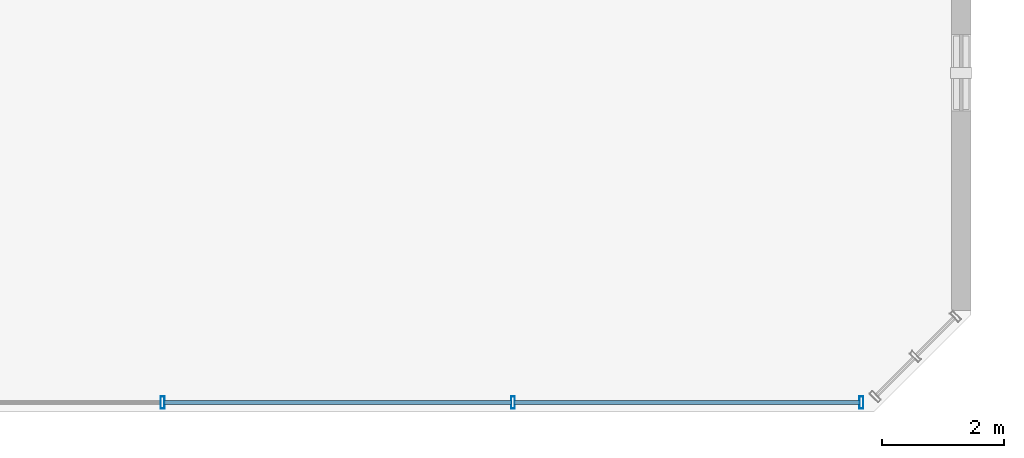
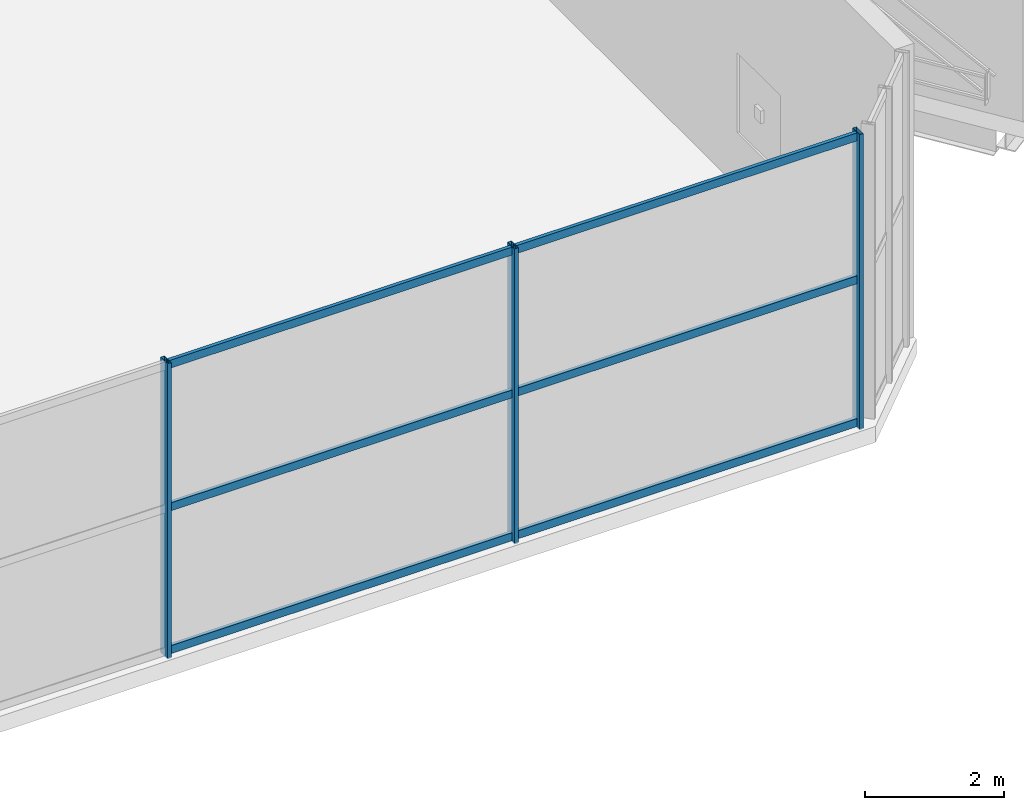
# One storey, part 8 of 30: 9 members, 1 element without a shape of its own.
"""IFC4 building model written with IfcOpenShell, lengths in metres."""

from ifc_helpers import new_model, si_unit, direction, frame, origin, origin_2d, place, context, subcontext, project, spatial, hollow_rectangle, extrude, source, transform, mapped, material, material_profile, profile_set, type_object, element, aggregate, save


model = new_model("IFC4")

# Units and contexts
model_context = context("Model", 3, precision=1e-05, world=origin(), true_north=direction((0.0, 1.0)))
body_context = subcontext(model_context, "Body", "Model", "MODEL_VIEW")
ifc_project = project(units=[si_unit("LENGTHUNIT", "METRE"), si_unit("AREAUNIT", "SQUARE_METRE"), si_unit("VOLUMEUNIT", "CUBIC_METRE"), si_unit("PLANEANGLEUNIT", "RADIAN"), si_unit("MASSUNIT", "GRAM", prefix="KILO")], contexts=[model_context])

# Site, building, storey
site_placement = place(None, origin())
site = spatial("IfcSite", under=ifc_project, at=site_placement, CompositionType="ELEMENT")
building_placement = place(site_placement, origin())
building = spatial("IfcBuilding", under=site, at=building_placement, Name="Tlacorven Tower", CompositionType="ELEMENT")
storey_placement = place(building_placement, frame((0.0, 0.0, 169.5)))
storey = spatial("IfcBuildingStorey", under=building, at=storey_placement, Name="L43", CompositionType="ELEMENT", Elevation=169.5)

# Curtain wall, members
ifc_material_1 = material(Name="Dark solar low-E double glazing in aluminium frame", Category="aluminium")
curtain_wall_type = type_object("IfcCurtainWallType", Name="CW-TWR-MID", PredefinedType="USERDEFINED", material=ifc_material_1)
curtain_wall_placement = place(storey_placement, origin())
curtain_wall = element("IfcCurtainWall", 1, at=curtain_wall_placement, inside=storey, type_object=curtain_wall_type, Name="L43 CW-TWR-MID Curtain Wall 197", ObjectType="UNITISED CURTAIN WALL", PredefinedType="USERDEFINED")
ifc_material_2 = material(Name="Aluminium 6063-T6 anodised", Category="aluminium")
ifc_material_profile_1 = material_profile(ifc_material_2, hollow_rectangle(XDim=0.06005859375, YDim=0.139892578125, WallThickness=0.00390625, at=origin_2d()), Name="ALU TRANSOM 60X140")
ifc_profile_set_1 = profile_set([ifc_material_profile_1], Name="Aluminium 6063-T6 anodised")
member_type_1 = type_object("IfcMemberType", Name="CWT-02", PredefinedType="USERDEFINED", material=ifc_profile_set_1)
shared_shape_1 = source(origin(), body_context, "Body", "SweptSolid", [
    extrude(hollow_rectangle(XDim=0.06005859375, YDim=0.139892578125, WallThickness=0.00390625, at=origin_2d()), origin(), (0.0, 0.0, 1.0), 5.682373046875),
])
member_1_placement = place(storey_placement, frame((50.580810546875, 1.9599609375, 0.070068359375), z_axis=(-1.0, 0.0, 0.0), x_axis=(0.0, -1.0, 0.0)))
member_1 = element("IfcMember", 2, at=member_1_placement, type_object=member_type_1, Name="CW-L43-197 Transom 1", ObjectType="TRANSOM", PredefinedType="USERDEFINED", context=body_context, shape_type="MappedRepresentation", body=[
    mapped(shared_shape_1, transform((0.0, 0.0, 0.0), scale=1.0)),
])
member_2_placement = place(storey_placement, frame((50.580810546875, 1.9599609375, 2.574951171875), z_axis=(-1.0, 0.0, 0.0), x_axis=(0.0, -1.0, 0.0)))
member_2 = element("IfcMember", 3, at=member_2_placement, type_object=member_type_1, Name="CW-L43-197 Transom 2", ObjectType="TRANSOM", PredefinedType="USERDEFINED", context=body_context, shape_type="MappedRepresentation", body=[
    mapped(shared_shape_1, transform((0.0, 0.0, 0.0), scale=1.0)),
])
member_3_placement = place(storey_placement, frame((50.580810546875, 1.9599609375, 5.080078125), z_axis=(-1.0, 0.0, 0.0), x_axis=(0.0, -1.0, 0.0)))
member_3 = element("IfcMember", 4, at=member_3_placement, type_object=member_type_1, Name="CW-L43-197 Transom 3", ObjectType="TRANSOM", PredefinedType="USERDEFINED", context=body_context, shape_type="MappedRepresentation", body=[
    mapped(shared_shape_1, transform((0.0, 0.0, 0.0), scale=1.0)),
])
shared_shape_2 = source(origin(), body_context, "Body", "SweptSolid", [
    extrude(hollow_rectangle(XDim=0.06005859375, YDim=0.139892578125, WallThickness=0.00390625, at=origin_2d()), origin(), (0.0, 0.0, 1.0), 5.71484375),
])
member_4_placement = place(storey_placement, frame((44.857421875, 1.9599609375, 0.070068359375), z_axis=(-1.0, 0.0, 0.0), x_axis=(0.0, -1.0, 0.0)))
member_4 = element("IfcMember", 5, at=member_4_placement, type_object=member_type_1, Name="CW-L43-197 Transom 4", ObjectType="TRANSOM", PredefinedType="USERDEFINED", context=body_context, shape_type="MappedRepresentation", body=[
    mapped(shared_shape_2, transform((0.0, 0.0, 0.0), scale=1.0)),
])
member_5_placement = place(storey_placement, frame((44.857421875, 1.9599609375, 2.574951171875), z_axis=(-1.0, 0.0, 0.0), x_axis=(0.0, -1.0, 0.0)))
member_5 = element("IfcMember", 6, at=member_5_placement, type_object=member_type_1, Name="CW-L43-197 Transom 5", ObjectType="TRANSOM", PredefinedType="USERDEFINED", context=body_context, shape_type="MappedRepresentation", body=[
    mapped(shared_shape_2, transform((0.0, 0.0, 0.0), scale=1.0)),
])
member_6_placement = place(storey_placement, frame((44.857421875, 1.9599609375, 5.080078125), z_axis=(-1.0, 0.0, 0.0), x_axis=(0.0, -1.0, 0.0)))
member_6 = element("IfcMember", 7, at=member_6_placement, type_object=member_type_1, Name="CW-L43-197 Transom 6", ObjectType="TRANSOM", PredefinedType="USERDEFINED", context=body_context, shape_type="MappedRepresentation", body=[
    mapped(shared_shape_2, transform((0.0, 0.0, 0.0), scale=1.0)),
])
ifc_material_profile_2 = material_profile(ifc_material_2, hollow_rectangle(XDim=0.06494140625, YDim=0.199951171875, WallThickness=0.00439453125, at=origin_2d()), Name="ALU MULLION 65X200")
ifc_profile_set_2 = profile_set([ifc_material_profile_2], Name="Aluminium 6063-T6 anodised")
member_type_2 = type_object("IfcMemberType", Name="CWM-02", PredefinedType="MULLION", material=ifc_profile_set_2)
shared_shape_3 = source(origin(), body_context, "Body", "SweptSolid", [
    extrude(hollow_rectangle(XDim=0.06494140625, YDim=0.199951171875, WallThickness=0.00439453125, at=origin_2d()), origin(), (0.0, 0.0, 1.0), 5.179931640625),
])
member_7_placement = place(storey_placement, frame((50.601318359375, 1.9599609375, -0.02001953125), z_axis=(0.0, 0.0, 1.0), x_axis=(-1.0, 0.0, 0.0)))
member_7 = element("IfcMember", 8, at=member_7_placement, type_object=member_type_2, Name="CW-L43-197 Mullion 1", PredefinedType="MULLION", context=body_context, shape_type="MappedRepresentation", body=[
    mapped(shared_shape_3, transform((0.0, 0.0, 0.0), scale=1.0)),
])
member_8_placement = place(storey_placement, frame((44.8779296875, 1.9599609375, -0.02001953125), z_axis=(0.0, 0.0, 1.0), x_axis=(-1.0, 0.0, 0.0)))
member_8 = element("IfcMember", 9, at=member_8_placement, type_object=member_type_2, Name="CW-L43-197 Mullion 2", PredefinedType="MULLION", context=body_context, shape_type="MappedRepresentation", body=[
    mapped(shared_shape_3, transform((0.0, 0.0, 0.0), scale=1.0)),
])
member_9_placement = place(storey_placement, frame((39.1220703125, 1.9599609375, -0.02001953125), z_axis=(0.0, 0.0, 1.0), x_axis=(-1.0, 0.0, 0.0)))
member_9 = element("IfcMember", 10, at=member_9_placement, type_object=member_type_2, Name="CW-L43-197 Mullion 3", PredefinedType="MULLION", context=body_context, shape_type="MappedRepresentation", body=[
    mapped(shared_shape_3, transform((0.0, 0.0, 0.0), scale=1.0)),
])
aggregate(curtain_wall, [member_7, member_8, member_9, member_1, member_2, member_3, member_4, member_5, member_6])

save(model, "model.ifc")
